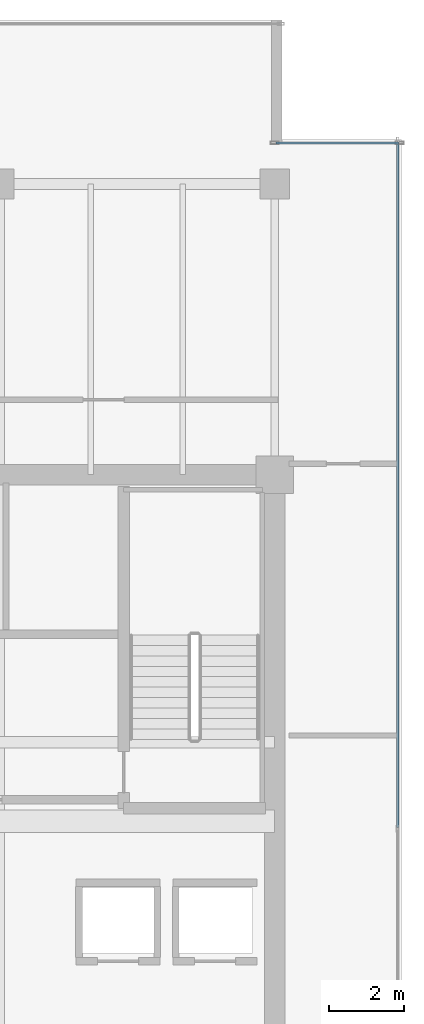
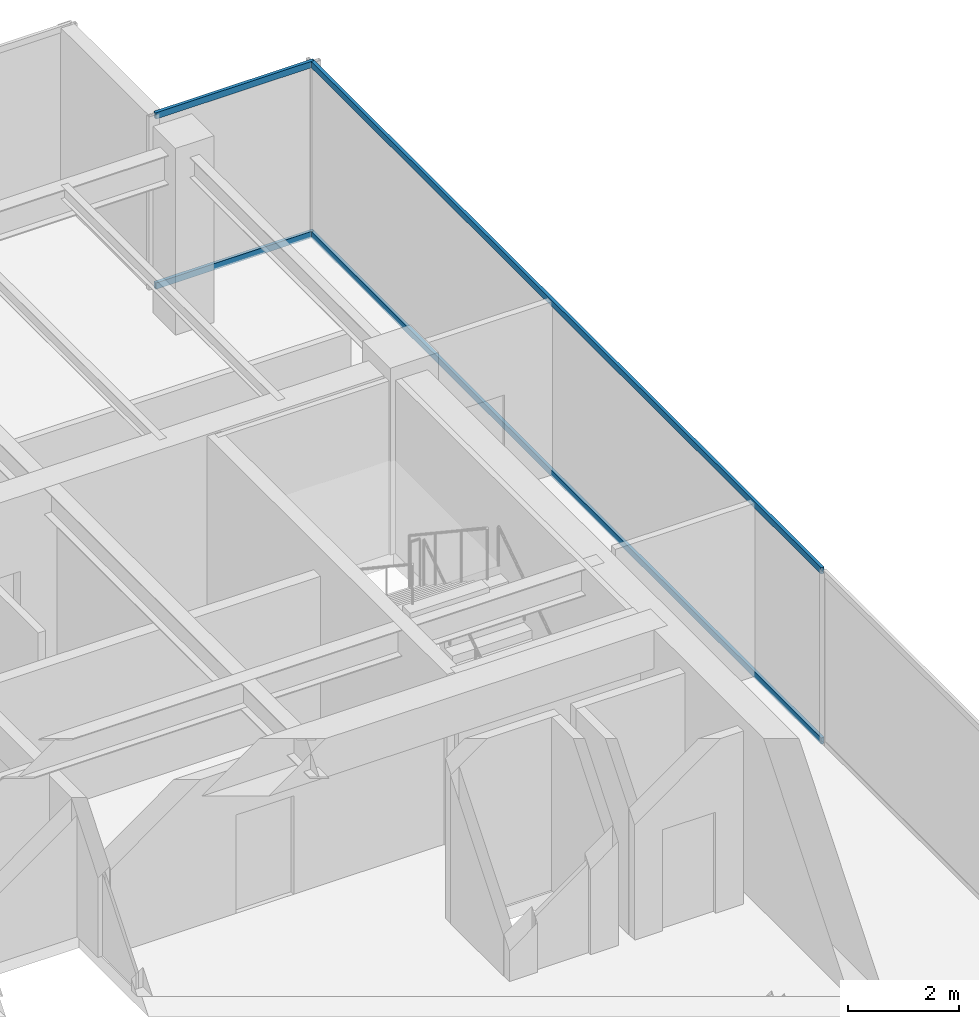
# One storey, part 25 of 33: 4 members, 2 elements without a shape of their own.
"""IFC4 building model written with IfcOpenShell, lengths in metres."""

from ifc_helpers import new_model, si_unit, direction, frame, origin, origin_2d, place, context, subcontext, project, spatial, hollow_rectangle, extrude, source, transform, mapped, material, layer, layer_set, material_profile, profile_set, type_object, type_shapes, element, aggregate, save


model = new_model("IFC4")

# Units and contexts
model_context = context("Model", 3, precision=1e-05, world=origin(), true_north=direction((0.0, 1.0)))
body_context = subcontext(model_context, "Body", "Model", "MODEL_VIEW")
ifc_project = project(units=[si_unit("LENGTHUNIT", "METRE"), si_unit("AREAUNIT", "SQUARE_METRE"), si_unit("VOLUMEUNIT", "CUBIC_METRE"), si_unit("PLANEANGLEUNIT", "RADIAN"), si_unit("MASSUNIT", "GRAM", prefix="KILO")], contexts=[model_context])

# Site, building, storey
site_placement = place(None, origin())
site = spatial("IfcSite", under=ifc_project, at=site_placement, CompositionType="ELEMENT")
building_placement = place(site_placement, origin())
building = spatial("IfcBuilding", under=site, at=building_placement, Name="Haelvirn Gate Laboratories", CompositionType="ELEMENT")
storey_placement = place(building_placement, frame((0.0, 0.0, 230.10009765625)))
storey = spatial("IfcBuildingStorey", under=building, at=storey_placement, Name="L55", CompositionType="ELEMENT", Elevation=230.10009765625)

# Curtain wall, members
ifc_material_1 = material(Name="Anodised bronze unitised aluminium & triple low-E glass", Category="aluminium")
ifc_layer_1 = layer(ifc_material_1, 0.181884765625, Name="CW-SYS-5")
ifc_layer_set_1 = layer_set([ifc_layer_1], Name="Anodised bronze unitised aluminium & triple low-E glass")
curtain_wall_type_1 = type_object("IfcCurtainWallType", Name="CW-SYS-5", PredefinedType="NOTDEFINED", material=ifc_layer_set_1)
curtain_wall_1_placement = place(storey_placement, origin())
curtain_wall_1 = element("IfcCurtainWall", 1, at=curtain_wall_1_placement, inside=storey, type_object=curtain_wall_type_1, Name="L55 Unitised Curtain Wall CW-L55-P0-E08-1", PredefinedType="NOTDEFINED")
ifc_material_2 = material(Name="Extruded aluminium 6063-T6 (anodised bronze)", Category="aluminium")
ifc_material_profile = material_profile(ifc_material_2, hollow_rectangle(XDim=0.06494140625, YDim=0.139892578125, WallThickness=0.00390625, at=origin_2d()), Name="CWT-140x65x4")
ifc_profile_set = profile_set([ifc_material_profile], Name="Extruded aluminium 6063-T6 (anodised bronze)")
member_type = type_object("IfcMemberType", Name="CWT-T140", PredefinedType="USERDEFINED", material=ifc_profile_set)
shared_shape_1 = source(origin(), body_context, "Body", "SweptSolid", [
    extrude(hollow_rectangle(XDim=0.06494140625, YDim=0.139892578125, WallThickness=0.00390625, at=origin_2d()), origin(), (0.0, 0.0, 1.0), 3.280029296875),
])
member_1_placement = place(storey_placement, frame((67.43994140625, 42.699951171875, 0.032470703125), z_axis=(1.0, 0.0, 0.0), x_axis=(0.0, 1.0, 0.0)))
member_1 = element("IfcMember", 2, at=member_1_placement, type_object=member_type, Name="CW5 transom 1.1", ObjectType="TRANSOM", PredefinedType="USERDEFINED", context=body_context, shape_type="MappedRepresentation", body=[
    mapped(shared_shape_1, transform((0.0, 0.0, 0.0), scale=1.0)),
])
member_2_placement = place(storey_placement, frame((67.43994140625, 42.699951171875, 3.767333984375), z_axis=(1.0, 0.0, 0.0), x_axis=(0.0, 1.0, 0.0)))
member_2 = element("IfcMember", 3, at=member_2_placement, type_object=member_type, Name="CW5 transom 1.2", ObjectType="TRANSOM", PredefinedType="USERDEFINED", context=body_context, shape_type="MappedRepresentation", body=[
    mapped(shared_shape_1, transform((0.0, 0.0, 0.0), scale=1.0)),
])
aggregate(curtain_wall_1, [member_1, member_2])

ifc_layer_2 = layer(ifc_material_1, 0.176025390625, Name="CW-SYS-4")
ifc_layer_set_2 = layer_set([ifc_layer_2], Name="Anodised bronze unitised aluminium & triple low-E glass")
curtain_wall_type_2 = type_object("IfcCurtainWallType", Name="CW-SYS-4", PredefinedType="NOTDEFINED", material=ifc_layer_set_2)
curtain_wall_2_placement = place(storey_placement, origin())
curtain_wall_2 = element("IfcCurtainWall", 4, at=curtain_wall_2_placement, inside=storey, type_object=curtain_wall_type_2, Name="L55 Unitised Curtain Wall CW-L55-P0-E07", PredefinedType="NOTDEFINED")
shared_shape_2 = source(origin(), body_context, "Body", "SweptSolid", [
    extrude(hollow_rectangle(XDim=0.06494140625, YDim=0.139892578125, WallThickness=0.00390625, at=origin_2d()), origin(), (0.0, 0.0, 1.0), 18.39501953125),
])
type_shapes(member_type, [shared_shape_1, shared_shape_2])
member_3_placement = place(storey_placement, frame((70.699951171875, 24.3349609375, 0.032470703125), z_axis=(0.0, 1.0, 0.0), x_axis=(-1.0, 0.0, 0.0)))
member_3 = element("IfcMember", 5, at=member_3_placement, type_object=member_type, Name="CW4 transom 2.1", ObjectType="TRANSOM", PredefinedType="USERDEFINED", context=body_context, shape_type="MappedRepresentation", body=[
    mapped(shared_shape_2, transform((0.0, 0.0, 0.0), scale=1.0)),
])
member_4_placement = place(storey_placement, frame((70.699951171875, 24.3349609375, 3.767333984375), z_axis=(0.0, 1.0, 0.0), x_axis=(-1.0, 0.0, 0.0)))
member_4 = element("IfcMember", 6, at=member_4_placement, type_object=member_type, Name="CW4 transom 2.2", ObjectType="TRANSOM", PredefinedType="USERDEFINED", context=body_context, shape_type="MappedRepresentation", body=[
    mapped(shared_shape_2, transform((0.0, 0.0, 0.0), scale=1.0)),
])
aggregate(curtain_wall_2, [member_3, member_4])

save(model, "model.ifc")
